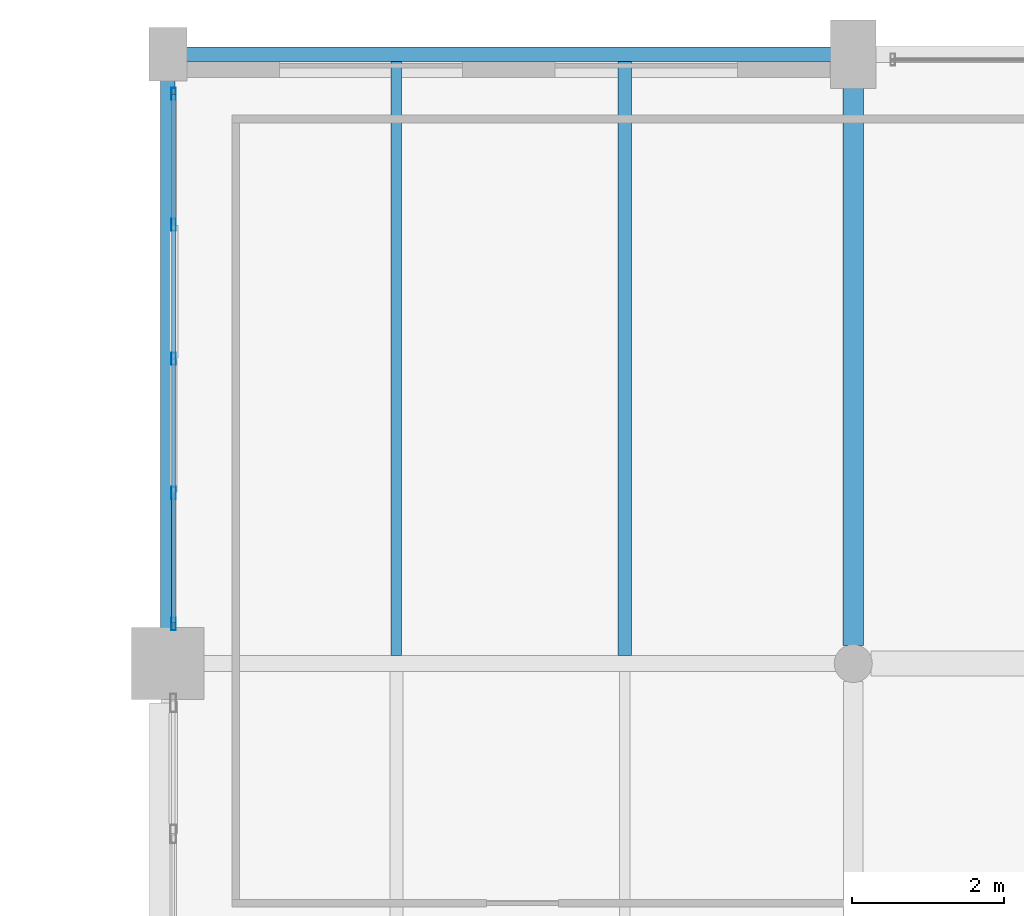
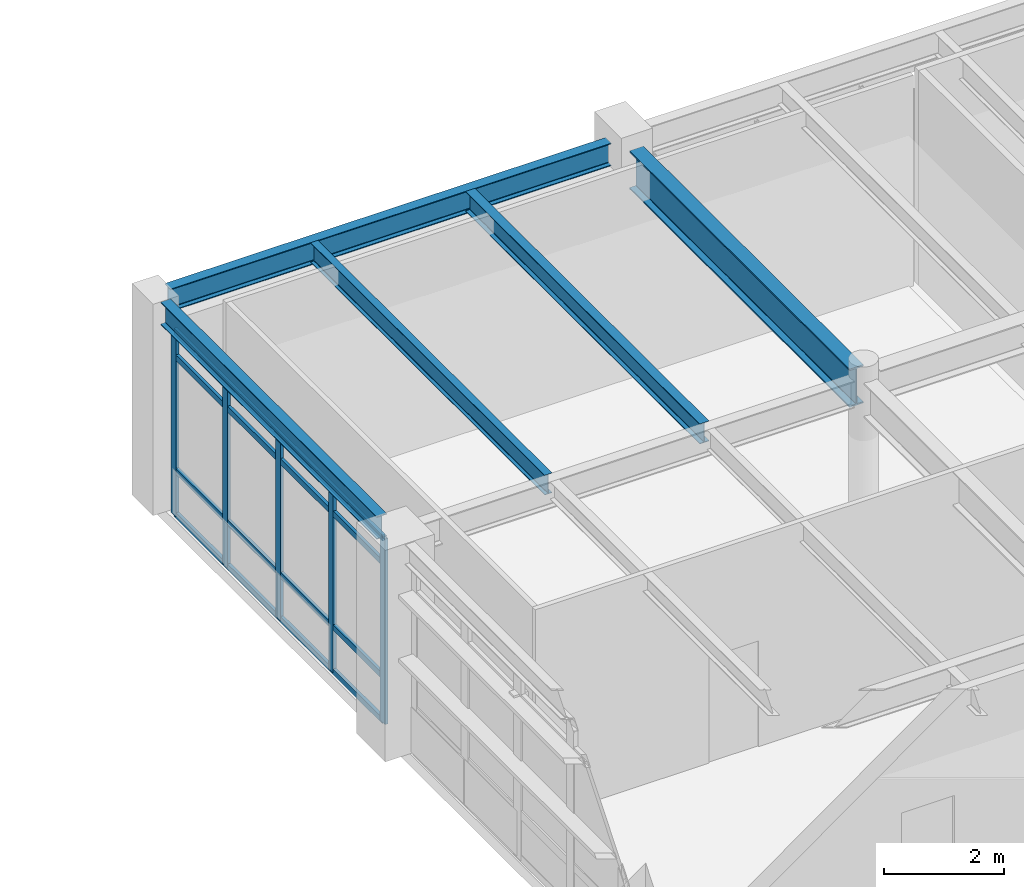
# One storey, part 88 of 168: 9 members, 5 beams, 1 element without a shape of its own.
"""IFC4 building model written with IfcOpenShell, lengths in metres."""

import ifcopenshell
import ifcopenshell.guid

model = None  # the IFC model being written
_history = None  # IfcOwnerHistory: only IFC2X3 demands one
_inside = {}  # id of a spatial element -> (the spatial element, [elements in it])
_under = {}  # id of a project, library or spatial element -> (it, [spatial elements below it])
_declared = {}  # id of a project -> (the project, [libraries it declares])
_typed = {}  # id of a type object -> (the type object, [elements of that type])
_made_of = {}  # id of a material, layer set ... -> (it, [elements and type objects made of it])


def new_model(schema):
    """Start an empty IFC model of exactly this schema.

    Asked for "IFC4X3", IfcOpenShell would pick the latest addendum, in which some entities
    have other attributes; the version numbers below select the first issue.
    IFC2X3 requires an IfcOwnerHistory on every rooted entity: one is made here for all.
    """
    global model, _history
    if schema == "IFC4X3":
        model = ifcopenshell.file(schema_version=(4, 3, 0, 0))
    else:
        model = ifcopenshell.file(schema=schema)
    _inside.clear()
    _under.clear()
    _declared.clear()
    _typed.clear()
    _made_of.clear()
    _history = None
    if model.schema == "IFC2X3":
        org = make("IfcOrganization", Name="unknown")
        user = make(
            "IfcPersonAndOrganization",
            ThePerson=make("IfcPerson", FamilyName="unknown"),
            TheOrganization=org,
        )
        app = make(
            "IfcApplication",
            ApplicationDeveloper=org,
            Version="unknown",
            ApplicationFullName="unknown",
            ApplicationIdentifier="unknown",
        )
        _history = make(
            "IfcOwnerHistory",
            OwningUser=user,
            OwningApplication=app,
            ChangeAction="ADDED",
            CreationDate=0,
        )
    return model


def make(cls, **values):
    """One entity of the class cls with the attributes given. An attribute that is None is left unset."""
    return model.create_entity(
        cls, **{name: value for name, value in values.items() if value is not None}
    )


def rooted(cls, **values):
    """An entity with a GlobalId (a new one), such as an element, a storey or a relation."""
    return make(cls, GlobalId=ifcopenshell.guid.new(), OwnerHistory=_history, **values)


def si_unit(unit_type, name, prefix=None):
    """IfcSIUnit, for example si_unit("LENGTHUNIT", "METRE", prefix="MILLI")."""
    return make("IfcSIUnit", UnitType=unit_type, Prefix=prefix, Name=name)


def assignment(units):
    """IfcUnitAssignment: the units of a project."""
    return None if units is None else make("IfcUnitAssignment", Units=units)


def point(xyz):
    """IfcCartesianPoint."""
    return None if xyz is None else make("IfcCartesianPoint", Coordinates=xyz)


def direction(xyz):
    """IfcDirection."""
    return None if xyz is None else make("IfcDirection", DirectionRatios=xyz)


def frame(location, z_axis=None, x_axis=None):
    """IfcAxis2Placement3D, a coordinate frame: its origin and axes. An axis left out is left unset."""
    return make(
        "IfcAxis2Placement3D",
        Location=point(location),
        Axis=direction(z_axis),
        RefDirection=direction(x_axis),
    )


def frame_2d(location, x_axis=None):
    """IfcAxis2Placement2D, a coordinate frame in the plane: its origin and x axis."""
    return make(
        "IfcAxis2Placement2D", Location=point(location), RefDirection=direction(x_axis)
    )


def origin():
    """The frame at (0, 0, 0) with its axes left unset."""
    return frame((0.0, 0.0, 0.0))


def origin_2d():
    """The frame at (0, 0) in the plane with its x axis left unset."""
    return frame_2d((0.0, 0.0))


def place(relative_to, where):
    """IfcLocalPlacement: puts the frame where relative to a parent placement (None: the world)."""
    return make(
        "IfcLocalPlacement", PlacementRelTo=relative_to, RelativePlacement=where
    )


def context(
    kind, dimensions, precision=None, world=None, true_north=None, identifier=None
):
    """IfcGeometricRepresentationContext, for example the 3D "Model" context."""
    return make(
        "IfcGeometricRepresentationContext",
        ContextIdentifier=identifier,
        ContextType=kind,
        CoordinateSpaceDimension=dimensions,
        Precision=precision,
        WorldCoordinateSystem=world,
        TrueNorth=true_north,
    )


def subcontext(parent, identifier, kind, view, scale=None):
    """IfcGeometricRepresentationSubContext, for example "Body" below "Model"."""
    return make(
        "IfcGeometricRepresentationSubContext",
        ContextIdentifier=identifier,
        ContextType=kind,
        ParentContext=parent,
        TargetScale=scale,
        TargetView=view,
    )


def project(units=None, contexts=None):
    """IfcProject with its units and contexts."""
    return rooted(
        "IfcProject",
        Name="project",
        RepresentationContexts=contexts,
        UnitsInContext=assignment(units),
    )


def spatial(cls, under=None, at=None, **own):
    """A site, building, storey or space (cls), placed at a placement, below another one or the project."""
    s = rooted(cls, ObjectPlacement=at, **own)
    if under is not None:
        _under.setdefault(under.id(), (under, []))[1].append(s)
    return s


def profile(cls, at=None, kind="AREA", **sizes):
    """A parametric profile (cls). Its sizes go by their IFC names, for example OverallWidth=200.0."""
    return make(cls, ProfileType=kind, Position=at, **sizes)


def hollow_rectangle(**sizes):
    """IfcRectangleHollowProfileDef."""
    return profile("IfcRectangleHollowProfileDef", **sizes)


def i_section(**sizes):
    """IfcIShapeProfileDef."""
    return profile("IfcIShapeProfileDef", **sizes)


def extrude(swept, where, along, depth):
    """IfcExtrudedAreaSolid: the profile swept, set in the frame where, extruded along a direction by depth."""
    return make(
        "IfcExtrudedAreaSolid",
        SweptArea=swept,
        Position=where,
        ExtrudedDirection=direction(along),
        Depth=depth,
    )


def shape(context_of_items, identifier, shape_type, items):
    """IfcShapeRepresentation: the items that make up one representation, for example the "Body"."""
    return make(
        "IfcShapeRepresentation",
        ContextOfItems=context_of_items,
        RepresentationIdentifier=identifier,
        RepresentationType=shape_type,
        Items=items,
    )


def material(Name=None, Category=None):
    """IfcMaterial."""
    return make("IfcMaterial", Name=Name, Category=Category)


def material_profile(
    of_material, cross_section, Name=None, Category=None, Priority=None
):
    """IfcMaterialProfile: a cross section and its material."""
    return make(
        "IfcMaterialProfile",
        Name=Name,
        Material=of_material,
        Profile=cross_section,
        Priority=Priority,
        Category=Category,
    )


def profile_set(profiles, Name=None, composite=None):
    """IfcMaterialProfileSet."""
    return make(
        "IfcMaterialProfileSet",
        Name=Name,
        MaterialProfiles=profiles,
        CompositeProfile=composite,
    )


def made_of(thing, what):
    """Note that an element or type object is made of a material, layer set ...; save() writes the relation."""
    if what is not None:
        _made_of.setdefault(what.id(), (what, []))[1].append(thing)
    return thing


def type_object(cls, material=None, **own):
    """A type object (cls), such as IfcWallType, which elements share."""
    return made_of(rooted(cls, **own), material)


def element(
    cls,
    number,
    at=None,
    inside=None,
    cuts=None,
    type_object=None,
    material=None,
    context=None,
    identifier="Body",
    shape_type=None,
    held_by="IfcProductDefinitionShape",
    body=None,
    shapes=None,
    **own,
):
    """One element of the class cls, such as IfcWall. Its Tag is "e" and its number.

    at: its placement. inside: the storey or other place that contains it. cuts: it is an
    opening in that element (IfcRelVoidsElement). A single representation is given by context,
    identifier, shape_type and body (its items); several are given by shapes. held_by: the class
    of the entity that holds the representations. save() writes the other relations.
    """
    e = rooted(cls, Tag="e%d" % number, ObjectPlacement=at, **own)
    if body is not None:
        shapes = [shape(context, identifier, shape_type, body)]
    if shapes is not None:
        e.Representation = make(held_by, Representations=shapes)
    if inside is not None:
        _inside.setdefault(inside.id(), (inside, []))[1].append(e)
    if cuts is not None:
        rooted(
            "IfcRelVoidsElement", RelatingBuildingElement=cuts, RelatedOpeningElement=e
        )
    if type_object is not None:
        _typed.setdefault(type_object.id(), (type_object, []))[1].append(e)
    return made_of(e, material)


def aggregate(whole, parts):
    """IfcRelAggregates: a whole, such as a stair, and the parts it consists of."""
    return rooted("IfcRelAggregates", RelatingObject=whole, RelatedObjects=parts)


def save(model, path):
    """Write the relations noted so far, then the file.

    IfcRelAggregates (storeys below a building ...), IfcRelContainedInSpatialStructure (elements
    in a storey), IfcRelDefinesByType, IfcRelAssociatesMaterial and IfcRelDeclares: one each for
    every whole, place, type object, material and project.
    """
    for whole, parts in _under.values():
        aggregate(whole, parts)
    for where, things in _inside.values():
        rooted(
            "IfcRelContainedInSpatialStructure",
            RelatedElements=things,
            RelatingStructure=where,
        )
    for kind, things in _typed.values():
        rooted("IfcRelDefinesByType", RelatedObjects=things, RelatingType=kind)
    for what, things in _made_of.values():
        rooted("IfcRelAssociatesMaterial", RelatedObjects=things, RelatingMaterial=what)
    for by, libraries in _declared.values():
        rooted("IfcRelDeclares", RelatingContext=by, RelatedDefinitions=libraries)
    model.write(path)


model = new_model("IFC4")

# Units and contexts
model_context = context("Model", 3, precision=1e-05, world=origin(), true_north=direction((0.0, 1.0)))
body_context = subcontext(model_context, "Body", "Model", "MODEL_VIEW")
ifc_project = project(units=[si_unit("LENGTHUNIT", "METRE"), si_unit("AREAUNIT", "SQUARE_METRE"), si_unit("VOLUMEUNIT", "CUBIC_METRE"), si_unit("PLANEANGLEUNIT", "RADIAN"), si_unit("MASSUNIT", "GRAM", prefix="KILO"), si_unit("THERMODYNAMICTEMPERATUREUNIT", "KELVIN"), si_unit("POWERUNIT", "WATT")], contexts=[model_context])

# Site, building, storey
site_placement = place(None, origin())
site = spatial("IfcSite", under=ifc_project, at=site_placement, CompositionType="ELEMENT")
building_placement = place(site_placement, origin())
building = spatial("IfcBuilding", under=site, at=building_placement, Name="Tepalcoro Natatorium and Aquatics Centre", CompositionType="ELEMENT")
storey_placement = place(building_placement, frame((0.0, 0.0, 10.199951171875)))
storey = spatial("IfcBuildingStorey", under=building, at=storey_placement, Name="L02", CompositionType="ELEMENT", Elevation=10.199951171875)

# Beam
ifc_material_1 = material(Name="Steel ASTM A992 Grade 50 (Fy 345 MPa)", Category="steel")
ifc_material_profile_1 = material_profile(ifc_material_1, i_section(OverallWidth=0.26708984375, OverallDepth=0.780029296875, WebThickness=0.01708984375, FlangeThickness=0.030029296875, FilletRadius=0.013916015625, at=origin_2d()), Name="W30X148")
ifc_profile_set_1 = profile_set([ifc_material_profile_1], Name="Steel ASTM A992 Grade 50 (Fy 345 MPa)")
beam_type_1 = type_object("IfcBeamType", Name="BM_W30x148", PredefinedType="BEAM", material=ifc_profile_set_1)
beam_1_placement = place(storey_placement, frame((107.0, 110.235107421875, 3.89501953125), z_axis=(0.0, 1.0, 0.0), x_axis=(-1.0, 0.0, 0.0)))
element("IfcBeam", 1, at=beam_1_placement, inside=storey, type_object=beam_type_1, Name="V5 L02 Grid Girder Y", PredefinedType="BEAM", context=body_context, shape_type="SweptSolid", body=[
    extrude(i_section(OverallWidth=0.26708984375, OverallDepth=0.780029296875, WebThickness=0.01708984375, FlangeThickness=0.030029296875, FilletRadius=0.013916015625, at=origin_2d()), origin(), (0.0, 0.0, 1.0), 7.329833984375),
])

# Curtain wall, members
ifc_material_2 = material(Name="Bronze-Anodised Extruded Aluminium Alloy EN AW-6063 T6", Category="aluminium")
curtain_wall_type = type_object("IfcCurtainWallType", Name="CW_LEAN_T2_NS", PredefinedType="USERDEFINED", material=ifc_material_2)
curtain_wall_placement = place(storey_placement, origin())
curtain_wall = element("IfcCurtainWall", 2, at=curtain_wall_placement, inside=storey, type_object=curtain_wall_type, Name="V5 L02 W Unitised Curtain Wall Bay 4", ObjectType="FACETED SOLAR GLAZING", PredefinedType="USERDEFINED")
ifc_material_profile_2 = material_profile(ifc_material_2, hollow_rectangle(XDim=0.06005859375, YDim=0.159912109375, WallThickness=0.00390625, at=origin_2d()), Name="AL60X160X4")
ifc_profile_set_2 = profile_set([ifc_material_profile_2], Name="Bronze-Anodised Extruded Aluminium Alloy EN AW-6063 T6")
member_type_1 = type_object("IfcMemberType", Name="CW_MUL_60x160", PredefinedType="MULLION", material=ifc_profile_set_2)
member_1_placement = place(storey_placement, frame((98.076171875, 110.52001953125, 0.02001953125), z_axis=(0.0, 0.0, 1.0), x_axis=(1.0, 0.0, 0.0)))
member_1 = element("IfcMember", 3, at=member_1_placement, type_object=member_type_1, Name="CW_LEAN_T2_NS Curtain Wall Mullion", PredefinedType="MULLION", context=body_context, shape_type="SweptSolid", body=[
    extrude(hollow_rectangle(XDim=0.06005859375, YDim=0.159912109375, WallThickness=0.00390625, at=origin_2d()), origin(), (0.0, 0.0, 1.0), 3.77001953125),
])
member_2_placement = place(storey_placement, frame((98.076171875, 112.239990234375, 0.02001953125), z_axis=(0.0, 0.0, 1.0), x_axis=(1.0, 0.0, 0.0)))
member_2 = element("IfcMember", 4, at=member_2_placement, type_object=member_type_1, Name="CW_LEAN_T2_NS Curtain Wall Mullion", PredefinedType="MULLION", context=body_context, shape_type="SweptSolid", body=[
    extrude(hollow_rectangle(XDim=0.06005859375, YDim=0.159912109375, WallThickness=0.00390625, at=origin_2d()), origin(), (0.0, 0.0, 1.0), 3.77001953125),
])
member_3_placement = place(storey_placement, frame((98.076171875, 114.0, 0.02001953125), z_axis=(0.0, 0.0, 1.0), x_axis=(1.0, 0.0, 0.0)))
member_3 = element("IfcMember", 5, at=member_3_placement, type_object=member_type_1, Name="CW_LEAN_T2_NS Curtain Wall Mullion", PredefinedType="MULLION", context=body_context, shape_type="SweptSolid", body=[
    extrude(hollow_rectangle(XDim=0.06005859375, YDim=0.159912109375, WallThickness=0.00390625, at=origin_2d()), origin(), (0.0, 0.0, 1.0), 3.77001953125),
])
member_4_placement = place(storey_placement, frame((98.076171875, 115.760009765625, 0.02001953125), z_axis=(0.0, 0.0, 1.0), x_axis=(1.0, 0.0, 0.0)))
member_4 = element("IfcMember", 6, at=member_4_placement, type_object=member_type_1, Name="CW_LEAN_T2_NS Curtain Wall Mullion", PredefinedType="MULLION", context=body_context, shape_type="SweptSolid", body=[
    extrude(hollow_rectangle(XDim=0.06005859375, YDim=0.159912109375, WallThickness=0.00390625, at=origin_2d()), origin(), (0.0, 0.0, 1.0), 3.77001953125),
])
member_5_placement = place(storey_placement, frame((98.076171875, 117.47998046875, 0.02001953125), z_axis=(0.0, 0.0, 1.0), x_axis=(1.0, 0.0, 0.0)))
member_5 = element("IfcMember", 7, at=member_5_placement, type_object=member_type_1, Name="CW_LEAN_T2_NS Curtain Wall Mullion", PredefinedType="MULLION", context=body_context, shape_type="SweptSolid", body=[
    extrude(hollow_rectangle(XDim=0.06005859375, YDim=0.159912109375, WallThickness=0.00390625, at=origin_2d()), origin(), (0.0, 0.0, 1.0), 3.77001953125),
])
ifc_material_profile_3 = material_profile(ifc_material_2, hollow_rectangle(XDim=0.06005859375, YDim=0.1201171875, WallThickness=0.00390625, at=origin_2d()), Name="AL60X120X4")
ifc_profile_set_3 = profile_set([ifc_material_profile_3], Name="Bronze-Anodised Extruded Aluminium Alloy EN AW-6063 T6")
member_type_2 = type_object("IfcMemberType", Name="CW_TRN_60x120", PredefinedType="USERDEFINED", material=ifc_profile_set_3)
member_6_placement = place(storey_placement, frame((98.076171875, 110.530029296875, 0.050048828125), z_axis=(0.0, 1.0, 0.0), x_axis=(-1.0, 0.0, 0.0)))
member_6 = element("IfcMember", 8, at=member_6_placement, type_object=member_type_2, Name="CW_LEAN_T2_NS Curtain Wall Transom", ObjectType="TRANSOM", PredefinedType="USERDEFINED", context=body_context, shape_type="SweptSolid", body=[
    extrude(hollow_rectangle(XDim=0.06005859375, YDim=0.1201171875, WallThickness=0.00390625, at=origin_2d()), origin(), (0.0, 0.0, 1.0), 6.93994140625),
])
member_7_placement = place(storey_placement, frame((98.076171875, 110.530029296875, 0.949951171875), z_axis=(0.0, 1.0, 0.0), x_axis=(-1.0, 0.0, 0.0)))
member_7 = element("IfcMember", 9, at=member_7_placement, type_object=member_type_2, Name="CW_LEAN_T2_NS Curtain Wall Transom", ObjectType="TRANSOM", PredefinedType="USERDEFINED", context=body_context, shape_type="SweptSolid", body=[
    extrude(hollow_rectangle(XDim=0.06005859375, YDim=0.1201171875, WallThickness=0.00390625, at=origin_2d()), origin(), (0.0, 0.0, 1.0), 6.93994140625),
])
member_8_placement = place(storey_placement, frame((98.076171875, 110.530029296875, 3.260009765625), z_axis=(0.0, 1.0, 0.0), x_axis=(-1.0, 0.0, 0.0)))
member_8 = element("IfcMember", 10, at=member_8_placement, type_object=member_type_2, Name="CW_LEAN_T2_NS Curtain Wall Transom", ObjectType="TRANSOM", PredefinedType="USERDEFINED", context=body_context, shape_type="SweptSolid", body=[
    extrude(hollow_rectangle(XDim=0.06005859375, YDim=0.1201171875, WallThickness=0.00390625, at=origin_2d()), origin(), (0.0, 0.0, 1.0), 6.93994140625),
])
member_9_placement = place(storey_placement, frame((98.076171875, 110.530029296875, 3.760009765625), z_axis=(0.0, 1.0, 0.0), x_axis=(-1.0, 0.0, 0.0)))
member_9 = element("IfcMember", 11, at=member_9_placement, type_object=member_type_2, Name="CW_LEAN_T2_NS Curtain Wall Transom", ObjectType="TRANSOM", PredefinedType="USERDEFINED", context=body_context, shape_type="SweptSolid", body=[
    extrude(hollow_rectangle(XDim=0.06005859375, YDim=0.1201171875, WallThickness=0.00390625, at=origin_2d()), origin(), (0.0, 0.0, 1.0), 6.93994140625),
])
aggregate(curtain_wall, [member_1, member_2, member_3, member_4, member_5, member_6, member_7, member_8, member_9])

# Beams
ifc_material_profile_4 = material_profile(ifc_material_1, i_section(OverallWidth=0.139892578125, OverallDepth=0.404052734375, WebThickness=0.007080078125, FlangeThickness=0.010986328125, FilletRadius=0.013916015625, at=origin_2d()), Name="W16X31")
ifc_profile_set_4 = profile_set([ifc_material_profile_4], Name="Steel ASTM A992 Grade 50 (Fy 345 MPa)")
beam_type_2 = type_object("IfcBeamType", Name="JS_W16x31", PredefinedType="JOIST", material=ifc_profile_set_4)
beam_2_placement = place(storey_placement, frame((101.0, 110.10595703125, 4.0830078125), z_axis=(0.0, 1.0, 0.0), x_axis=(-1.0, 0.0, 0.0)))
element("IfcBeam", 12, at=beam_2_placement, inside=storey, type_object=beam_type_2, Name="V5 L02 Floor Joist", PredefinedType="JOIST", context=body_context, shape_type="SweptSolid", body=[
    extrude(i_section(OverallWidth=0.139892578125, OverallDepth=0.404052734375, WebThickness=0.007080078125, FlangeThickness=0.010986328125, FilletRadius=0.013916015625, at=origin_2d()), origin(), (0.0, 0.0, 1.0), 7.798583984375),
])
ifc_material_profile_5 = material_profile(ifc_material_1, i_section(OverallWidth=0.178955078125, OverallDepth=0.409912109375, WebThickness=0.009033203125, FlangeThickness=0.013916015625, FilletRadius=0.013916015625, at=origin_2d()), Name="W16X45")
ifc_profile_set_5 = profile_set([ifc_material_profile_5], Name="Steel ASTM A992 Grade 50 (Fy 345 MPa)")
beam_type_3 = type_object("IfcBeamType", Name="JS_W16x45", PredefinedType="JOIST", material=ifc_profile_set_5)
beam_3_placement = place(storey_placement, frame((104.0, 110.10595703125, 4.080078125), z_axis=(0.0, 1.0, 0.0), x_axis=(-1.0, 0.0, 0.0)))
element("IfcBeam", 13, at=beam_3_placement, inside=storey, type_object=beam_type_3, Name="V5 L02 Floor Joist", PredefinedType="JOIST", context=body_context, shape_type="SweptSolid", body=[
    extrude(i_section(OverallWidth=0.178955078125, OverallDepth=0.409912109375, WebThickness=0.009033203125, FlangeThickness=0.013916015625, FilletRadius=0.013916015625, at=origin_2d()), origin(), (0.0, 0.0, 1.0), 7.798583984375),
])
ifc_material_profile_6 = material_profile(ifc_material_1, i_section(OverallWidth=0.19091796875, OverallDepth=0.4599609375, WebThickness=0.010009765625, FlangeThickness=0.01611328125, FilletRadius=0.013916015625, at=origin_2d()), Name="W18X55")
ifc_profile_set_6 = profile_set([ifc_material_profile_6], Name="Steel ASTM A992 Grade 50 (Fy 345 MPa)")
beam_type_4 = type_object("IfcBeamType", Name="SP_W18x55", PredefinedType="SPANDREL", material=ifc_profile_set_6)
beam_4_placement = place(storey_placement, frame((98.235107421875, 118.0, 4.054931640625), z_axis=(1.0, 0.0, 0.0), x_axis=(0.0, 1.0, 0.0)))
element("IfcBeam", 14, at=beam_4_placement, inside=storey, type_object=beam_type_4, Name="V5 L02 Grid Girder X", PredefinedType="SPANDREL", context=body_context, shape_type="SweptSolid", body=[
    extrude(i_section(OverallWidth=0.19091796875, OverallDepth=0.4599609375, WebThickness=0.010009765625, FlangeThickness=0.01611328125, FilletRadius=0.013916015625, at=origin_2d()), origin(), (0.0, 0.0, 1.0), 8.47998046875),
])
beam_5_placement = place(storey_placement, frame((98.0, 110.4599609375, 4.054931640625), z_axis=(0.0, 1.0, 0.0), x_axis=(-1.0, 0.0, 0.0)))
element("IfcBeam", 15, at=beam_5_placement, inside=storey, type_object=beam_type_4, Name="V5 L02 Grid Girder Y", PredefinedType="SPANDREL", context=body_context, shape_type="SweptSolid", body=[
    extrude(i_section(OverallWidth=0.19091796875, OverallDepth=0.4599609375, WebThickness=0.010009765625, FlangeThickness=0.01611328125, FilletRadius=0.013916015625, at=origin_2d()), origin(), (0.0, 0.0, 1.0), 7.205078125),
])

save(model, "model.ifc")
